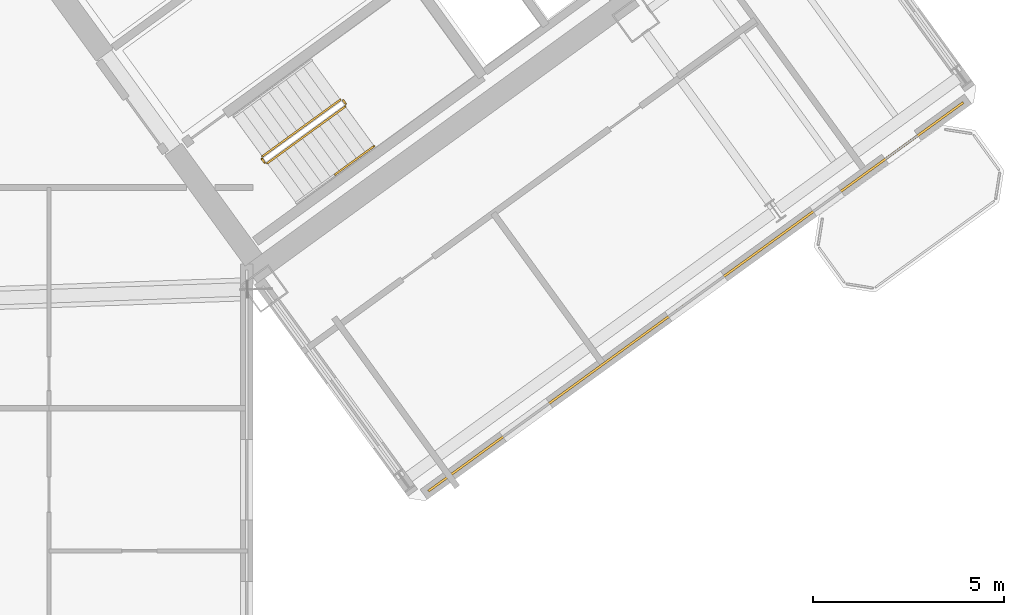
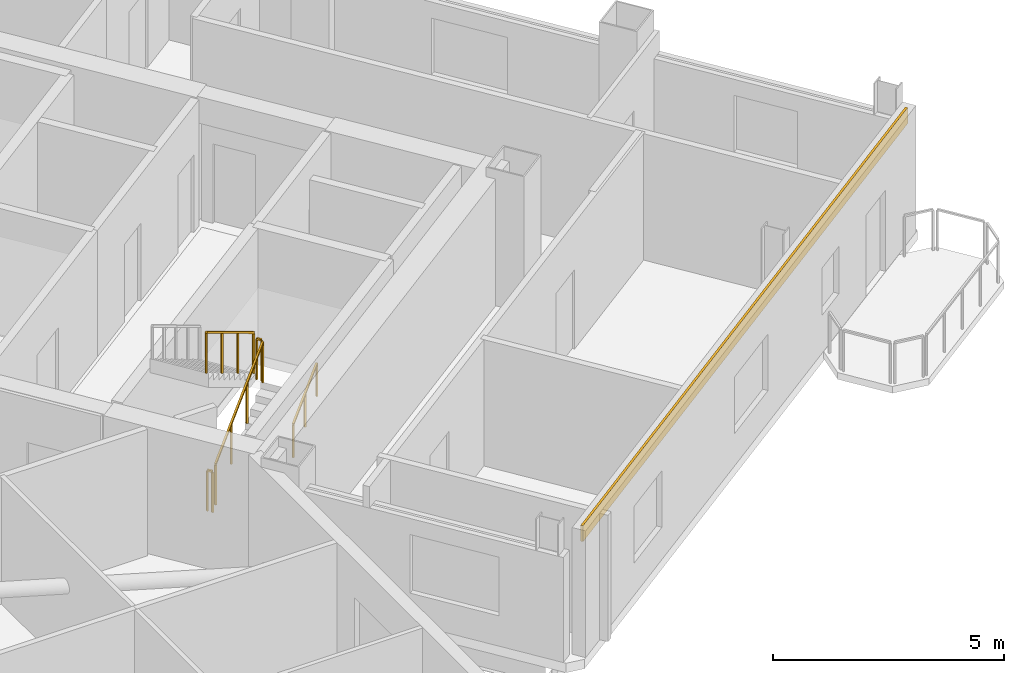
# One storey, part 27 of 29: 5 railings, 1 covering.
"""IFC4 building model written with IfcOpenShell, lengths in metres."""

from ifc_helpers import new_model, si_unit, direction, frame, origin, origin_2d, place, context, subcontext, project, spatial, rectangle, extrude, source, transform, mapped, material, layer, layer_set, type_object, element, save


model = new_model("IFC4")

# Units and contexts
model_context = context("Model", 3, precision=1e-05, world=origin(), true_north=direction((0.0, 1.0)))
body_context = subcontext(model_context, "Body", "Model", "MODEL_VIEW")
ifc_project = project(units=[si_unit("LENGTHUNIT", "METRE"), si_unit("AREAUNIT", "SQUARE_METRE"), si_unit("VOLUMEUNIT", "CUBIC_METRE"), si_unit("PLANEANGLEUNIT", "RADIAN"), si_unit("MASSUNIT", "GRAM", prefix="KILO")], contexts=[model_context])

# Site, building, storey
site_placement = place(None, origin())
site = spatial("IfcSite", under=ifc_project, at=site_placement, CompositionType="ELEMENT")
building_placement = place(site_placement, origin())
building = spatial("IfcBuilding", under=site, at=building_placement, Name="Tlacorven Tower", CompositionType="ELEMENT")
storey_placement = place(building_placement, frame((0.0, 0.0, 151.5)))
storey = spatial("IfcBuildingStorey", under=building, at=storey_placement, Name="L38", CompositionType="ELEMENT", Elevation=151.5)

# Covering
ifc_material_1 = material(Name="Precast concrete C45/55", Category="concrete")
ifc_layer = layer(ifc_material_1, 0.06005859375)
ifc_layer_set = layer_set([ifc_layer], Name="Precast concrete C45/55")
covering_type = type_object("IfcCoveringType", Name="CV-CLD-TERC", PredefinedType="CLADDING", material=ifc_layer_set)
shared_shape_1 = source(origin(), body_context, "Body", "SweptSolid", [
    extrude(rectangle(XDim=17.287353515625, YDim=0.06005859375, at=origin_2d()), origin(), (0.0, 0.0, 1.0), 0.419921875),
])
covering_placement = place(storey_placement, frame((63.9833984375, 12.562255859375, 2.929931640625), z_axis=(0.0, 0.0, 1.0), x_axis=(-0.809017097486, -0.587785110372, 0.0)))
element("IfcCovering", 1, at=covering_placement, inside=storey, type_object=covering_type, Name="L38 Masonry-Frame Spandrel Cladding 7", PredefinedType="CLADDING", context=body_context, shape_type="MappedRepresentation", body=[
    mapped(shared_shape_1, transform((0.0, 0.0, 0.0), scale=1.0)),
])

# Railings
ifc_material_2 = material(Name="Aluminium and painted steel balustrade", Category="steel")
railing_type_1 = type_object("IfcRailingType", Name="RL-GRD-1100", PredefinedType="GUARDRAIL", material=ifc_material_2)
shared_shape_2 = source(origin(), body_context, "Body", "SweptSolid", [
    extrude(rectangle(XDim=0.048095703125, YDim=0.048095703125, at=origin_2d()), frame((0.0, 0.0, 1.076171875), z_axis=(-0.587567097037, 0.809175448515, 0.0), x_axis=(-0.809175448515, -0.587567097037, 0.0)), (0.0, 0.0, 1.0), 0.1201171875),
    extrude(rectangle(XDim=0.0419921875, YDim=0.0419921875, at=origin_2d()), origin(), (0.0, 0.0, 1.0), 1.052001953125),
    extrude(rectangle(XDim=0.0419921875, YDim=0.0419921875, at=origin_2d()), frame((-0.070556640625, 0.09716796875, 0.0)), (0.0, 0.0, 1.0), 1.052001953125),
])
for number, where, name in (
    (2, (54.8310546875, 17.605712890625, 1.800048828125), "L38 ST-E2 stair guard 2"),
    (3, (52.71142578125, 16.065673828125, 0.0), "L38 ST-E2 stair guard 4"),
):
    element("IfcRailing", number, at=place(storey_placement, frame(where)), inside=storey, type_object=railing_type_1, Name=name, PredefinedType="GUARDRAIL", context=body_context, shape_type="MappedRepresentation", body=[
        mapped(shared_shape_2, transform((0.0, 0.0, 0.0), scale=1.0)),
    ])
railing_type_2 = type_object("IfcRailingType", Name="RL-HND-0900", PredefinedType="HANDRAIL", material=ifc_material_2)
shared_shape_3 = source(origin(), body_context, "Body", "SweptSolid", [
    extrude(rectangle(XDim=0.048095703125, YDim=0.048095703125, at=origin_2d()), frame((0.0, 0.0, 0.8759765625), z_axis=(0.680516055757, 0.494372502302, 0.540826891737), x_axis=(-0.587745292299, 0.809046025502, 0.0)), (0.0, 0.0, 1.0), 1.497802734375),
    extrude(rectangle(XDim=0.0419921875, YDim=0.0419921875, at=origin_2d()), origin(), (0.0, 0.0, 1.0), 0.851806640625),
    extrude(rectangle(XDim=0.0419921875, YDim=0.0419921875, at=origin_2d()), frame((0.509765625, 0.3701171875, 0.405029296875)), (0.0, 0.0, 1.0), 0.851806640625),
    extrude(rectangle(XDim=0.0419921875, YDim=0.0419921875, at=origin_2d()), frame((1.019287109375, 0.740478515625, 0.81005859375)), (0.0, 0.0, 1.0), 0.851806640625),
])
railing_1_placement = place(storey_placement, frame((54.552978515625, 15.759765625, 0.989990234375)))
element("IfcRailing", 4, at=railing_1_placement, inside=storey, type_object=railing_type_2, Name="L38 ST-E2 stair handrail 2", PredefinedType="HANDRAIL", context=body_context, shape_type="MappedRepresentation", body=[
    mapped(shared_shape_3, transform((0.0, 0.0, 0.0), scale=1.0)),
])
shared_shape_4 = source(origin(), body_context, "Body", "SweptSolid", [
    extrude(rectangle(XDim=0.048095703125, YDim=0.048095703125, at=origin_2d()), frame((0.0, 0.0, 1.076171875), z_axis=(0.680532390839, 0.494406659708, 0.54077511024), x_axis=(-0.587762637553, 0.809033424462, 0.0)), (0.0, 0.0, 1.0), 2.995849609375),
    extrude(rectangle(XDim=0.0419921875, YDim=0.0419921875, at=origin_2d()), origin(), (0.0, 0.0, 1.0), 1.052001953125),
    extrude(rectangle(XDim=0.0419921875, YDim=0.0419921875, at=origin_2d()), frame((0.6796875, 0.49365234375, 0.5400390625)), (0.0, 0.0, 1.0), 1.052001953125),
    extrude(rectangle(XDim=0.0419921875, YDim=0.0419921875, at=origin_2d()), frame((1.359130859375, 0.987548828125, 1.080078125)), (0.0, 0.0, 1.0), 1.052001953125),
    extrude(rectangle(XDim=0.0419921875, YDim=0.0419921875, at=origin_2d()), frame((2.038818359375, 1.481201171875, 1.6201171875)), (0.0, 0.0, 1.0), 1.052001953125),
])
railing_2_placement = place(storey_placement, frame((52.78125, 16.0546875, 0.179931640625)))
element("IfcRailing", 5, at=railing_2_placement, inside=storey, type_object=railing_type_1, Name="L38 ST-E2 stair guard 1", PredefinedType="GUARDRAIL", context=body_context, shape_type="MappedRepresentation", body=[
    mapped(shared_shape_4, transform((0.0, 0.0, 0.0), scale=1.0)),
])
shared_shape_5 = source(origin(), body_context, "Body", "SweptSolid", [
    extrude(rectangle(XDim=0.048095703125, YDim=0.048095703125, at=origin_2d()), frame((0.0, 0.0, 1.076171875), z_axis=(-0.680532390839, -0.494406659708, 0.54077511024), x_axis=(0.587762637553, -0.809033424462, 0.0)), (0.0, 0.0, 1.0), 2.995849609375),
    extrude(rectangle(XDim=0.0419921875, YDim=0.0419921875, at=origin_2d()), origin(), (0.0, 0.0, 1.0), 1.052001953125),
    extrude(rectangle(XDim=0.0419921875, YDim=0.0419921875, at=origin_2d()), frame((-0.6796875, -0.49365234375, 0.5400390625)), (0.0, 0.0, 1.0), 1.052001953125),
    extrude(rectangle(XDim=0.0419921875, YDim=0.0419921875, at=origin_2d()), frame((-1.359130859375, -0.987548828125, 1.080078125)), (0.0, 0.0, 1.0), 1.052001953125),
    extrude(rectangle(XDim=0.0419921875, YDim=0.0419921875, at=origin_2d()), frame((-2.038818359375, -1.481201171875, 1.6201171875)), (0.0, 0.0, 1.0), 1.052001953125),
])
railing_3_placement = place(storey_placement, frame((54.690673828125, 17.7138671875, 1.97998046875)))
element("IfcRailing", 6, at=railing_3_placement, inside=storey, type_object=railing_type_1, Name="L38 ST-E2 stair guard 3", PredefinedType="GUARDRAIL", context=body_context, shape_type="MappedRepresentation", body=[
    mapped(shared_shape_5, transform((0.0, 0.0, 0.0), scale=1.0)),
])

save(model, "model.ifc")
